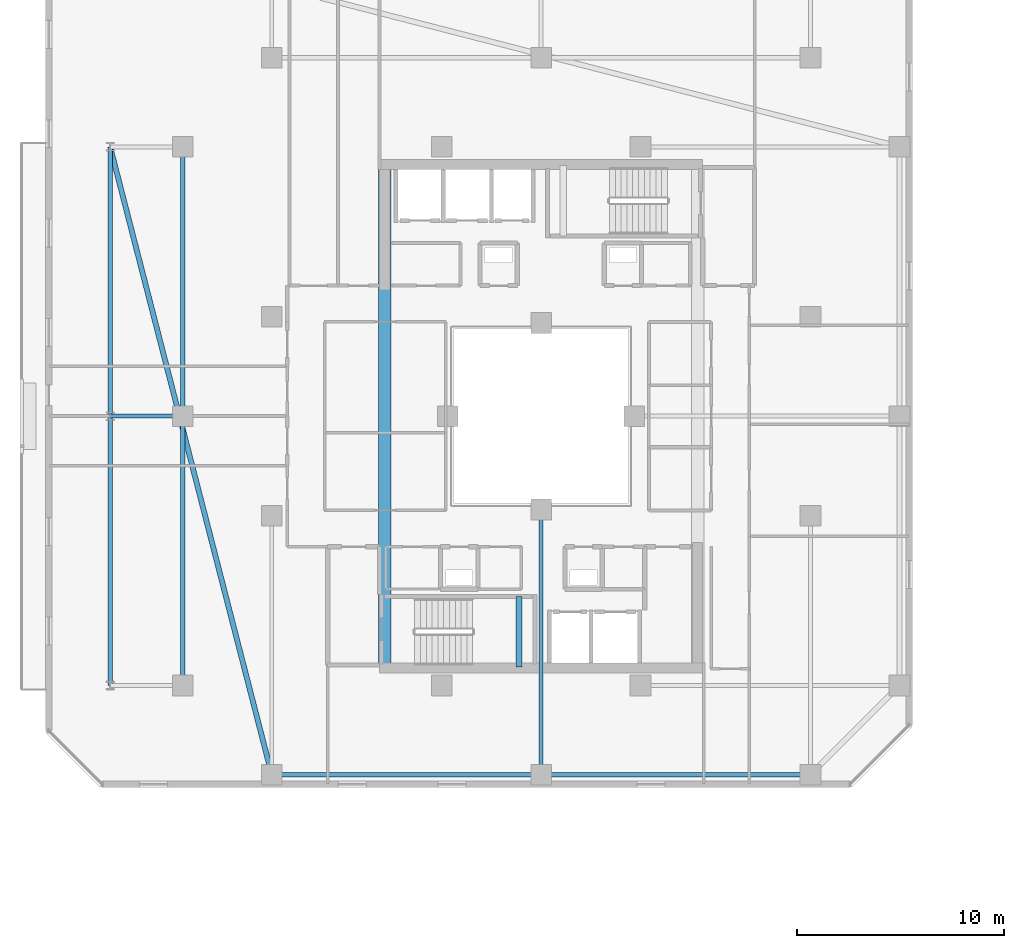
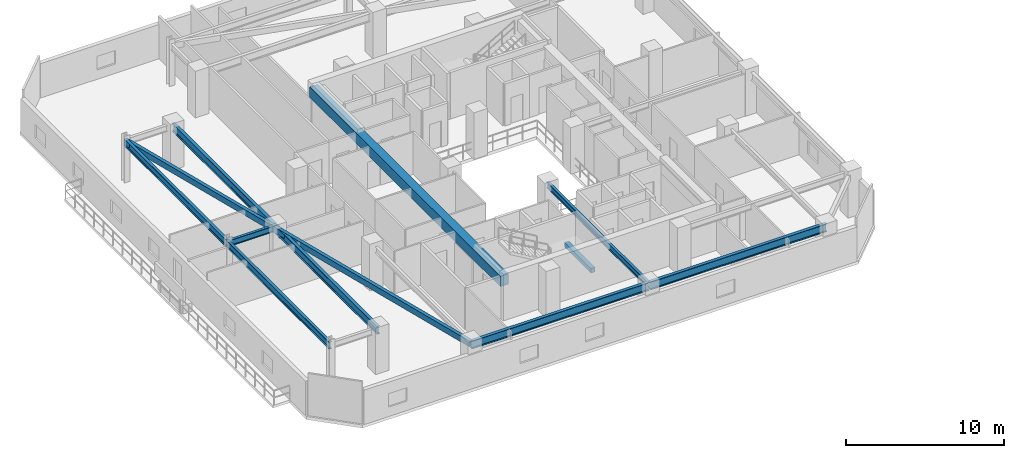
# One storey, part 4 of 33: 11 beams.
"""IFC4 building model written with IfcOpenShell, lengths in metres."""

from ifc_helpers import new_model, si_unit, direction, frame, origin, origin_2d, place, context, subcontext, project, spatial, rectangle, hollow_rectangle, i_section, extrude, material, material_profile, profile_set, type_object, element, save


model = new_model("IFC4")

# Units and contexts
model_context = context("Model", 3, precision=1e-05, world=origin(), true_north=direction((0.0, 1.0)))
body_context = subcontext(model_context, "Body", "Model", "MODEL_VIEW")
ifc_project = project(units=[si_unit("LENGTHUNIT", "METRE"), si_unit("AREAUNIT", "SQUARE_METRE"), si_unit("VOLUMEUNIT", "CUBIC_METRE"), si_unit("PLANEANGLEUNIT", "RADIAN"), si_unit("MASSUNIT", "GRAM", prefix="KILO")], contexts=[model_context])

# Site, building, storey
site_placement = place(None, origin())
site = spatial("IfcSite", under=ifc_project, at=site_placement, CompositionType="ELEMENT")
building_placement = place(site_placement, origin())
building = spatial("IfcBuilding", under=site, at=building_placement, Name="Thornwick Lancets Civic Towers", CompositionType="ELEMENT")
storey_placement = place(building_placement, frame((0.0, 0.0, 218.10009765625)))
storey = spatial("IfcBuildingStorey", under=building, at=storey_placement, Name="L58", CompositionType="ELEMENT", Elevation=218.10009765625)

# Beams
ifc_material_1 = material(Name="Concrete C60/75", Category="concrete")
ifc_material_profile_1 = material_profile(ifc_material_1, rectangle(XDim=0.60009765625, YDim=0.800048828125, at=origin_2d()), Name="RC 600x800")
ifc_profile_set_1 = profile_set([ifc_material_profile_1], Name="Concrete C60/75")
beam_type_1 = type_object("IfcBeamType", Name="BM_COUP_RC800", PredefinedType="BEAM", material=ifc_profile_set_1)
beam_1_placement = place(storey_placement, frame((17.949951171875, 14.89990234375, 2.8798828125), z_axis=(0.0, 1.0, 0.0), x_axis=(-1.0, 0.0, 0.0)))
element("IfcBeam", 1, at=beam_1_placement, inside=storey, type_object=beam_type_1, Name="CB-L58-A2", PredefinedType="BEAM", context=body_context, shape_type="SweptSolid", body=[
    extrude(rectangle(XDim=0.60009765625, YDim=0.800048828125, at=origin_2d()), origin(), (0.0, 0.0, 1.0), 24.2001953125),
])
ifc_material_2 = material(Name="Steel S355JR", Category="steel")
ifc_material_profile_2 = material_profile(ifc_material_2, i_section(OverallWidth=0.210693359375, OverallDepth=0.53955078125, WebThickness=0.01171875, FlangeThickness=0.018798828125, FilletRadius=0.0126953125, at=origin_2d()), Name="UKB 533x210x109")
ifc_profile_set_2 = profile_set([ifc_material_profile_2], Name="Steel S355JR")
beam_type_2 = type_object("IfcBeamType", Name="BM_EDGE_533_109", PredefinedType="SPANDREL", material=ifc_profile_set_2)
beam_2_placement = place(storey_placement, frame((4.699951171875, 14.0, 3.01025390625), z_axis=(0.0, 1.0, 0.0), x_axis=(-1.0, 0.0, 0.0)))
element("IfcBeam", 2, at=beam_2_placement, inside=storey, type_object=beam_type_2, Name="BM-EDGE-L58-A-S3-1", PredefinedType="SPANDREL", context=body_context, shape_type="SweptSolid", body=[
    extrude(i_section(OverallWidth=0.210693359375, OverallDepth=0.53955078125, WebThickness=0.01171875, FlangeThickness=0.018798828125, FilletRadius=0.0126953125, at=origin_2d()), origin(), (0.0, 0.0, 1.0), 13.0),
])
beam_3_placement = place(storey_placement, frame((4.699951171875, 27.080078125, 3.01025390625), z_axis=(0.0, 1.0, 0.0), x_axis=(-1.0, 0.0, 0.0)))
element("IfcBeam", 3, at=beam_3_placement, inside=storey, type_object=beam_type_2, Name="BM-EDGE-L58-A-S3-2", PredefinedType="SPANDREL", context=body_context, shape_type="SweptSolid", body=[
    extrude(i_section(OverallWidth=0.210693359375, OverallDepth=0.53955078125, WebThickness=0.01171875, FlangeThickness=0.018798828125, FilletRadius=0.0126953125, at=origin_2d()), origin(), (0.0, 0.0, 1.0), 12.919921875),
])
ifc_material_profile_3 = material_profile(ifc_material_2, i_section(OverallWidth=0.230224609375, OverallDepth=0.6171875, WebThickness=0.01318359375, FlangeThickness=0.022216796875, FilletRadius=0.0126953125, at=origin_2d()), Name="UKB 610x229x140")
ifc_profile_set_3 = profile_set([ifc_material_profile_3], Name="Steel S355JR")
beam_type_3 = type_object("IfcBeamType", Name="BM_GIRD_610_140", PredefinedType="BEAM", material=ifc_profile_set_3)
beam_4_placement = place(storey_placement, frame((12.5, 9.699951171875, 2.97119140625), z_axis=(1.0, 0.0, 0.0), x_axis=(0.0, 1.0, 0.0)))
element("IfcBeam", 4, at=beam_4_placement, inside=storey, type_object=beam_type_3, Name="BM-SPINE-L58-A-0-1", PredefinedType="BEAM", context=body_context, shape_type="SweptSolid", body=[
    extrude(i_section(OverallWidth=0.230224609375, OverallDepth=0.6171875, WebThickness=0.01318359375, FlangeThickness=0.022216796875, FilletRadius=0.0126953125, at=origin_2d()), origin(), (0.0, 0.0, 1.0), 13.0),
])
beam_5_placement = place(storey_placement, frame((25.580078125, 9.699951171875, 2.97119140625), z_axis=(1.0, 0.0, 0.0), x_axis=(0.0, 1.0, 0.0)))
element("IfcBeam", 5, at=beam_5_placement, inside=storey, type_object=beam_type_3, Name="BM-SPINE-L58-A-1-2", PredefinedType="BEAM", context=body_context, shape_type="SweptSolid", body=[
    extrude(i_section(OverallWidth=0.230224609375, OverallDepth=0.6171875, WebThickness=0.01318359375, FlangeThickness=0.022216796875, FilletRadius=0.0126953125, at=origin_2d()), origin(), (0.0, 0.0, 1.0), 12.919921875),
])
beam_6_placement = place(storey_placement, frame((8.199951171875, 14.0, 2.97119140625), z_axis=(0.0, 1.0, 0.0), x_axis=(-1.0, 0.0, 0.0)))
element("IfcBeam", 6, at=beam_6_placement, inside=storey, type_object=beam_type_3, Name="BM-SPINE-L58-A-9-10", PredefinedType="BEAM", context=body_context, shape_type="SweptSolid", body=[
    extrude(i_section(OverallWidth=0.230224609375, OverallDepth=0.6171875, WebThickness=0.01318359375, FlangeThickness=0.022216796875, FilletRadius=0.0126953125, at=origin_2d()), origin(), (0.0, 0.0, 1.0), 13.0),
])
beam_7_placement = place(storey_placement, frame((8.199951171875, 27.080078125, 2.97119140625), z_axis=(0.0, 1.0, 0.0), x_axis=(-1.0, 0.0, 0.0)))
element("IfcBeam", 7, at=beam_7_placement, inside=storey, type_object=beam_type_3, Name="BM-SPINE-L58-A-10-11", PredefinedType="BEAM", context=body_context, shape_type="SweptSolid", body=[
    extrude(i_section(OverallWidth=0.230224609375, OverallDepth=0.6171875, WebThickness=0.01318359375, FlangeThickness=0.022216796875, FilletRadius=0.0126953125, at=origin_2d()), origin(), (0.0, 0.0, 1.0), 12.919921875),
])
ifc_material_profile_4 = material_profile(ifc_material_2, i_section(OverallWidth=0.19189453125, OverallDepth=0.46337890625, WebThickness=0.010498046875, FlangeThickness=0.017578125, FilletRadius=0.01025390625, at=origin_2d()), Name="UKB 457x191x89")
ifc_profile_set_4 = profile_set([ifc_material_profile_4], Name="Steel S355JR")
beam_type_4 = type_object("IfcBeamType", Name="BM_JOIST_457_89", PredefinedType="JOIST", material=ifc_profile_set_4)
beam_8_placement = place(storey_placement, frame((25.5, 22.5, 3.048095703125), z_axis=(0.0, -1.0, 0.0), x_axis=(1.0, 0.0, 0.0)))
element("IfcBeam", 8, at=beam_8_placement, inside=storey, type_object=beam_type_4, Name="BM-RADIN-L58-A02", PredefinedType="JOIST", context=body_context, shape_type="SweptSolid", body=[
    extrude(i_section(OverallWidth=0.19189453125, OverallDepth=0.46337890625, WebThickness=0.010498046875, FlangeThickness=0.017578125, FilletRadius=0.01025390625, at=origin_2d()), origin(), (0.0, 0.0, 1.0), 12.800048828125),
])
beam_9_placement = place(storey_placement, frame((8.199951171875, 27.0, 3.048095703125), z_axis=(-1.0, 0.0, 0.0), x_axis=(0.0, -1.0, 0.0)))
element("IfcBeam", 9, at=beam_9_placement, inside=storey, type_object=beam_type_4, Name="BM-RAD-L58-A11", PredefinedType="JOIST", context=body_context, shape_type="SweptSolid", body=[
    extrude(i_section(OverallWidth=0.19189453125, OverallDepth=0.46337890625, WebThickness=0.010498046875, FlangeThickness=0.017578125, FilletRadius=0.01025390625, at=origin_2d()), origin(), (0.0, 0.0, 1.0), 3.5),
])
ifc_material_profile_5 = material_profile(ifc_material_2, hollow_rectangle(XDim=0.25, YDim=0.449951171875, WallThickness=0.01611328125, at=origin_2d()), Name="RHS 450x250x16")
ifc_profile_set_5 = profile_set([ifc_material_profile_5], Name="Steel S355JR")
beam_type_5 = type_object("IfcBeamType", Name="BM_RING_RHS450", PredefinedType="BEAM", material=ifc_profile_set_5)
beam_10_placement = place(storey_placement, frame((4.699951171875, 40.0, 3.054931640625), z_axis=(0.249299080716, -0.96842654257, 0.0), x_axis=(0.96842654257, 0.249299080716, 0.0)))
element("IfcBeam", 10, at=beam_10_placement, inside=storey, type_object=beam_type_5, Name="BM-CHAMF-L58-A-C3", PredefinedType="BEAM", context=body_context, shape_type="SweptSolid", body=[
    extrude(hollow_rectangle(XDim=0.25, YDim=0.449951171875, WallThickness=0.01611328125, at=origin_2d()), origin(), (0.0, 0.0, 1.0), 31.287841796875),
])
ifc_material_3 = material(Name="Concrete C40/50", Category="concrete")
ifc_material_profile_6 = material_profile(ifc_material_3, rectangle(XDim=0.300048828125, YDim=0.35009765625, at=origin_2d()), Name="RC 300x350")
ifc_profile_set_6 = profile_set([ifc_material_profile_6], Name="Concrete C40/50")
beam_type_6 = type_object("IfcBeamType", Name="BM_STAIR_LDG", PredefinedType="BEAM", material=ifc_profile_set_6)
beam_11_placement = place(storey_placement, frame((24.43505859375, 14.89990234375, 1.3779296875), z_axis=(0.0, 1.0, 0.0), x_axis=(-1.0, 0.0, 0.0)))
element("IfcBeam", 11, at=beam_11_placement, inside=storey, type_object=beam_type_6, Name="L58 ST-A1 Landing Support Beam 1", PredefinedType="BEAM", context=body_context, shape_type="SweptSolid", body=[
    extrude(rectangle(XDim=0.300048828125, YDim=0.35009765625, at=origin_2d()), origin(), (0.0, 0.0, 1.0), 3.400146484375),
])

save(model, "model.ifc")
